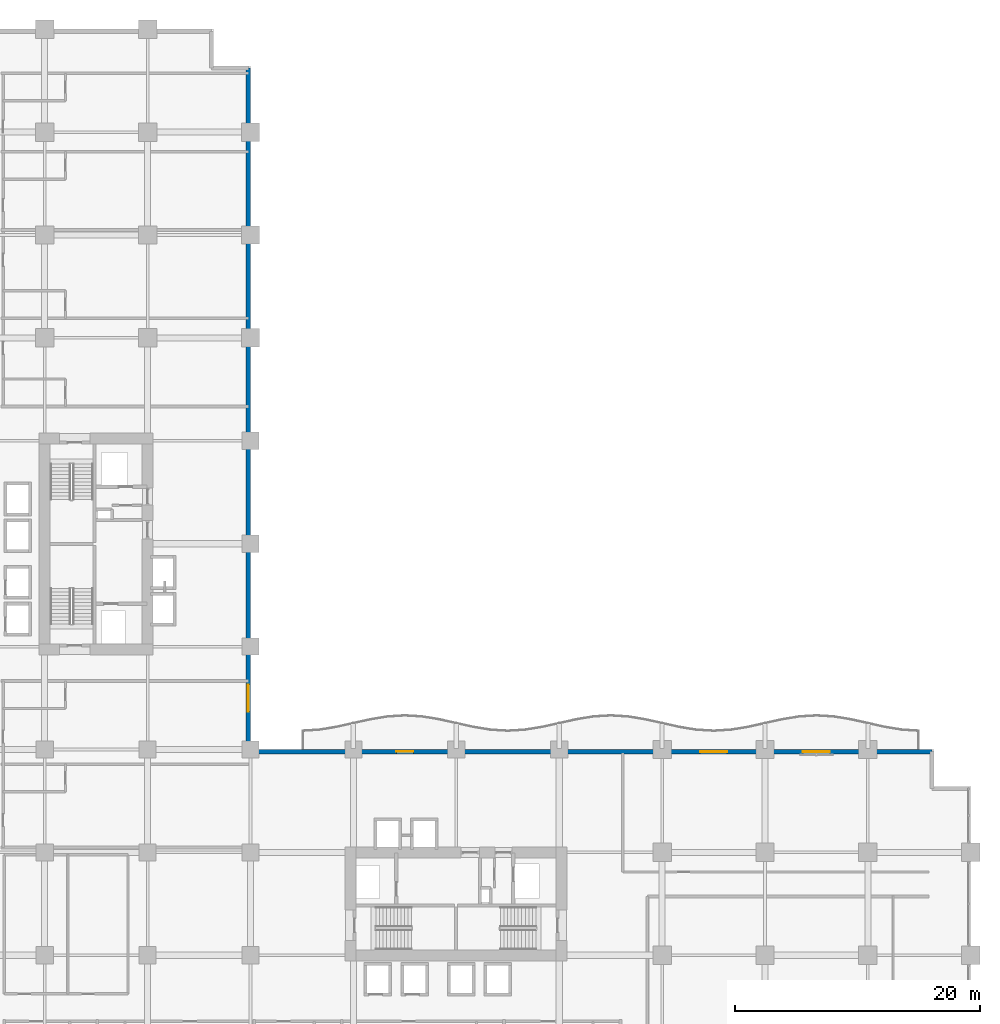
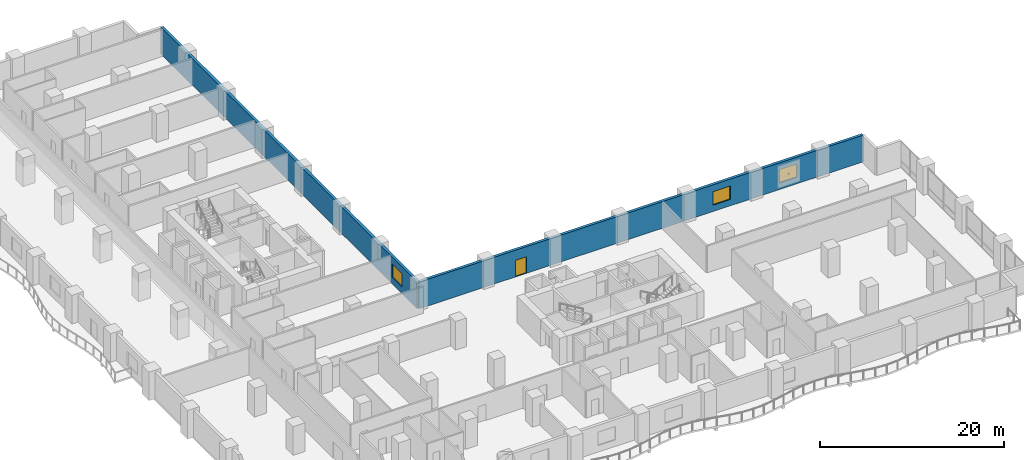
# One storey, part 16 of 27: 3 windows, 2 walls, 1 door, 4 openings.
"""IFC4 building model written with IfcOpenShell, lengths in metres."""

from ifc_helpers import new_model, si_unit, direction, frame, frame_2d, origin, place, context, subcontext, project, spatial, rectangle, extrude, material, layer, layer_set, type_object, element, fill, save


model = new_model("IFC4")

# Units and contexts
model_context = context("Model", 3, precision=1e-05, world=origin(), true_north=direction((0.0, 1.0)))
body_context = subcontext(model_context, "Body", "Model", "MODEL_VIEW")
ifc_project = project(units=[si_unit("LENGTHUNIT", "METRE"), si_unit("AREAUNIT", "SQUARE_METRE"), si_unit("VOLUMEUNIT", "CUBIC_METRE"), si_unit("PLANEANGLEUNIT", "RADIAN"), si_unit("MASSUNIT", "GRAM", prefix="KILO")], contexts=[model_context])

# Site, building, storey
site_placement = place(None, origin())
site = spatial("IfcSite", under=ifc_project, at=site_placement, CompositionType="ELEMENT")
building_placement = place(site_placement, origin())
building = spatial("IfcBuilding", under=site, at=building_placement, Name="Koriwani Terraces Tower", CompositionType="ELEMENT")
storey_placement = place(building_placement, frame((0.0, 0.0, 54.800048828125)))
storey = spatial("IfcBuildingStorey", under=building, at=storey_placement, Name="L12", CompositionType="ELEMENT", Elevation=54.800048828125)

# Wall, opening, window
ifc_material_1 = material(Name="Concrete C50/60", Category="concrete")
ifc_layer = layer(ifc_material_1, 0.35009765625, Name="Concrete C50/60")
ifc_layer_set = layer_set([ifc_layer], Name="Concrete C50/60")
wall_type = type_object("IfcWallType", Name="WALL_EXT_BRUTALIST_350", PredefinedType="STANDARD", material=ifc_layer_set)
wall_1_placement = place(storey_placement, frame((33.425048828125, 89.22509765625, 0.0), z_axis=(0.0, 0.0, 1.0), x_axis=(0.0, -1.0, 0.0)))
wall_1 = element("IfcWall", 1, at=wall_1_placement, inside=storey, type_object=wall_type, Name="L12 Fair-Faced Brutalist Exterior Wall (NW_IN)", PredefinedType="STANDARD", context=body_context, shape_type="SweptSolid", body=[
    extrude(rectangle(XDim=55.800048828125, YDim=0.35009765625, at=frame_2d((27.89990234375, 0.0))), origin(), (0.0, 0.0, 1.0), 3.550048828125),
])
opening_1_placement = place(wall_1_placement, frame((50.324951171875, 0.0, 0.85009765625)))
opening_1 = element("IfcOpeningElement", 2, at=opening_1_placement, cuts=wall_1, Name="Opening W-01", PredefinedType="OPENING", context=body_context, shape_type="SweptSolid", body=[
    extrude(rectangle(XDim=2.199951171875, YDim=1.800048828125, at=frame_2d((1.10009765625, 0.89990234375))), frame((0.0, 0.18505859375, 0.0), z_axis=(0.0, -1.0, 0.0), x_axis=(1.0, 0.0, 0.0)), (0.0, 0.0, 1.0), 0.3701171875),
])
ifc_material_2 = material(Name="Tempered Laminated Low-E Glass", Category="glass")
window_type = type_object("IfcWindowType", Name="WIN_HOTEL_STD_2200X1800", PartitioningType="DOUBLE_PANEL_VERTICAL", PredefinedType="WINDOW", material=ifc_material_2)
window_1_placement = place(opening_1_placement, origin())
window_1 = element("IfcWindow", 3, at=window_1_placement, inside=storey, type_object=window_type, Name="L12 Exterior Window (NW_IN-2)", OverallHeight=1.800048828125, OverallWidth=2.199951171875, PartitioningType="SINGLE_PANEL", PredefinedType="WINDOW", context=body_context, shape_type="SweptSolid", body=[
    extrude(rectangle(XDim=2.199951171875, YDim=1.800048828125, at=frame_2d((1.10009765625, 0.89990234375))), frame((0.0, 0.030029296875, 0.0), z_axis=(0.0, -1.0, 0.0), x_axis=(1.0, 0.0, 0.0)), (0.0, 0.0, 1.0), 0.06005859375),
])
fill(opening_1, window_1)

# Wall, openings, door, windows
wall_2_placement = place(storey_placement, frame((33.425048828125, 33.425048828125, 0.0), z_axis=(0.0, 0.0, 1.0), x_axis=(1.0, 0.0, 0.0)))
wall_2 = element("IfcWall", 4, at=wall_2_placement, inside=storey, type_object=wall_type, Name="L12 Fair-Faced Brutalist Exterior Wall (NE)", PredefinedType="STANDARD", context=body_context, shape_type="SweptSolid", body=[
    extrude(rectangle(XDim=55.800048828125, YDim=0.35009765625, at=frame_2d((27.89990234375, 0.0))), origin(), (0.0, 0.0, 1.0), 3.550048828125),
])
opening_2_placement = place(wall_2_placement, frame((12.074951171875, 0.0, 0.0)))
opening_2 = element("IfcOpeningElement", 5, at=opening_2_placement, cuts=wall_2, Name="Opening D-09", PredefinedType="OPENING", context=body_context, shape_type="SweptSolid", body=[
    extrude(rectangle(XDim=1.39990234375, YDim=2.199951171875, at=frame_2d((0.699951171875, 1.10009765625))), frame((0.0, 0.18505859375, 0.0), z_axis=(0.0, -1.0, 0.0), x_axis=(1.0, 0.0, 0.0)), (0.0, 0.0, 1.0), 0.3701171875),
])
opening_3_placement = place(wall_2_placement, frame((36.875, 0.0, 0.85009765625)))
opening_3 = element("IfcOpeningElement", 6, at=opening_3_placement, cuts=wall_2, Name="Opening W-01", PredefinedType="OPENING", context=body_context, shape_type="SweptSolid", body=[
    extrude(rectangle(XDim=2.199951171875, YDim=1.800048828125, at=frame_2d((1.10009765625, 0.89990234375))), frame((0.0, 0.18505859375, 0.0), z_axis=(0.0, -1.0, 0.0), x_axis=(1.0, 0.0, 0.0)), (0.0, 0.0, 1.0), 0.3701171875),
])
opening_4_placement = place(wall_2_placement, frame((45.27490234375, 0.0, 0.85009765625)))
opening_4 = element("IfcOpeningElement", 7, at=opening_4_placement, cuts=wall_2, Name="Opening W-01", PredefinedType="OPENING", context=body_context, shape_type="SweptSolid", body=[
    extrude(rectangle(XDim=2.199951171875, YDim=1.800048828125, at=frame_2d((1.10009765625, 0.89990234375))), frame((0.0, 0.18505859375, 0.0), z_axis=(0.0, -1.0, 0.0), x_axis=(1.0, 0.0, 0.0)), (0.0, 0.0, 1.0), 0.3701171875),
])
ifc_material_3 = material(Name="Anodised Bronze Aluminium", Category="aluminium")
door_type = type_object("IfcDoorType", Name="DOOR_BALCONY_GLAZED_1400X2200", OperationType="NOTDEFINED", PredefinedType="DOOR", material=ifc_material_3)
door_placement = place(opening_2_placement, origin())
door = element("IfcDoor", 8, at=door_placement, inside=storey, type_object=door_type, Name="L12 Inner Court Balcony Glazed Door", OperationType="SINGLE_SWING_LEFT", OverallHeight=2.199951171875, OverallWidth=1.39990234375, PredefinedType="DOOR", context=body_context, shape_type="SweptSolid", body=[
    extrude(rectangle(XDim=1.39990234375, YDim=2.199951171875, at=frame_2d((0.699951171875, 1.10009765625))), frame((0.0, 0.02490234375, 0.0), z_axis=(0.0, -1.0, 0.0), x_axis=(1.0, 0.0, 0.0)), (0.0, 0.0, 1.0), 0.050048828125),
])
fill(opening_2, door)
window_2_placement = place(opening_3_placement, origin())
window_2 = element("IfcWindow", 9, at=window_2_placement, inside=storey, type_object=window_type, Name="L12 Exterior Window (NE-14)", OverallHeight=1.800048828125, OverallWidth=2.199951171875, PartitioningType="SINGLE_PANEL", PredefinedType="WINDOW", context=body_context, shape_type="SweptSolid", body=[
    extrude(rectangle(XDim=2.199951171875, YDim=1.800048828125, at=frame_2d((1.10009765625, 0.89990234375))), frame((0.0, 0.030029296875, 0.0), z_axis=(0.0, -1.0, 0.0), x_axis=(1.0, 0.0, 0.0)), (0.0, 0.0, 1.0), 0.06005859375),
])
fill(opening_3, window_2)
window_3_placement = place(opening_4_placement, origin())
window_3 = element("IfcWindow", 10, at=window_3_placement, inside=storey, type_object=window_type, Name="L12 Exterior Window (NE-17)", OverallHeight=1.800048828125, OverallWidth=2.199951171875, PartitioningType="SINGLE_PANEL", PredefinedType="WINDOW", context=body_context, shape_type="SweptSolid", body=[
    extrude(rectangle(XDim=2.199951171875, YDim=1.800048828125, at=frame_2d((1.10009765625, 0.89990234375))), frame((0.0, 0.030029296875, 0.0), z_axis=(0.0, -1.0, 0.0), x_axis=(1.0, 0.0, 0.0)), (0.0, 0.0, 1.0), 0.06005859375),
])
fill(opening_4, window_3)

save(model, "model.ifc")
